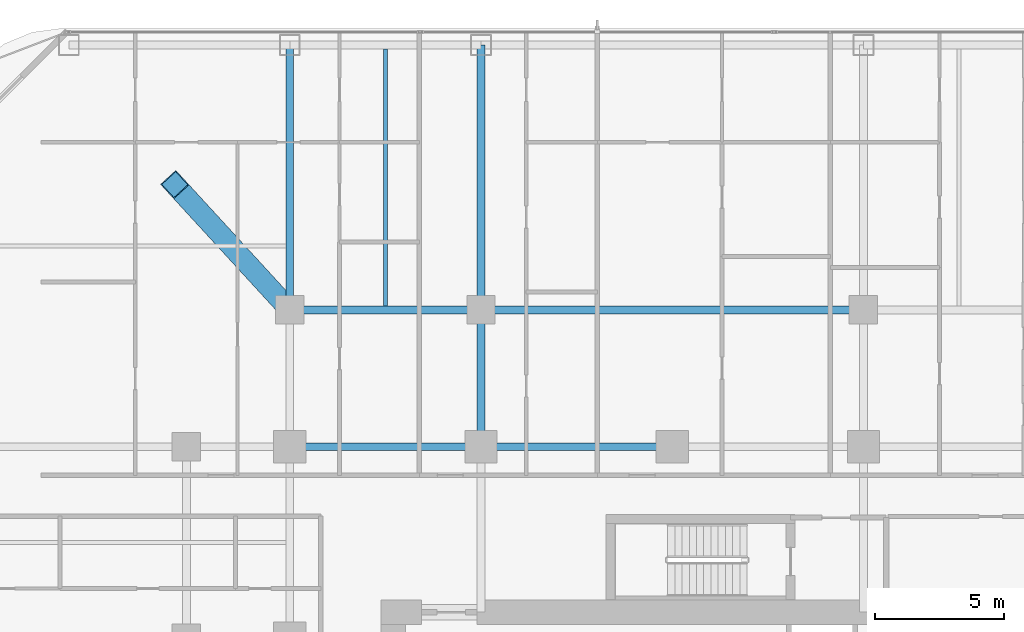
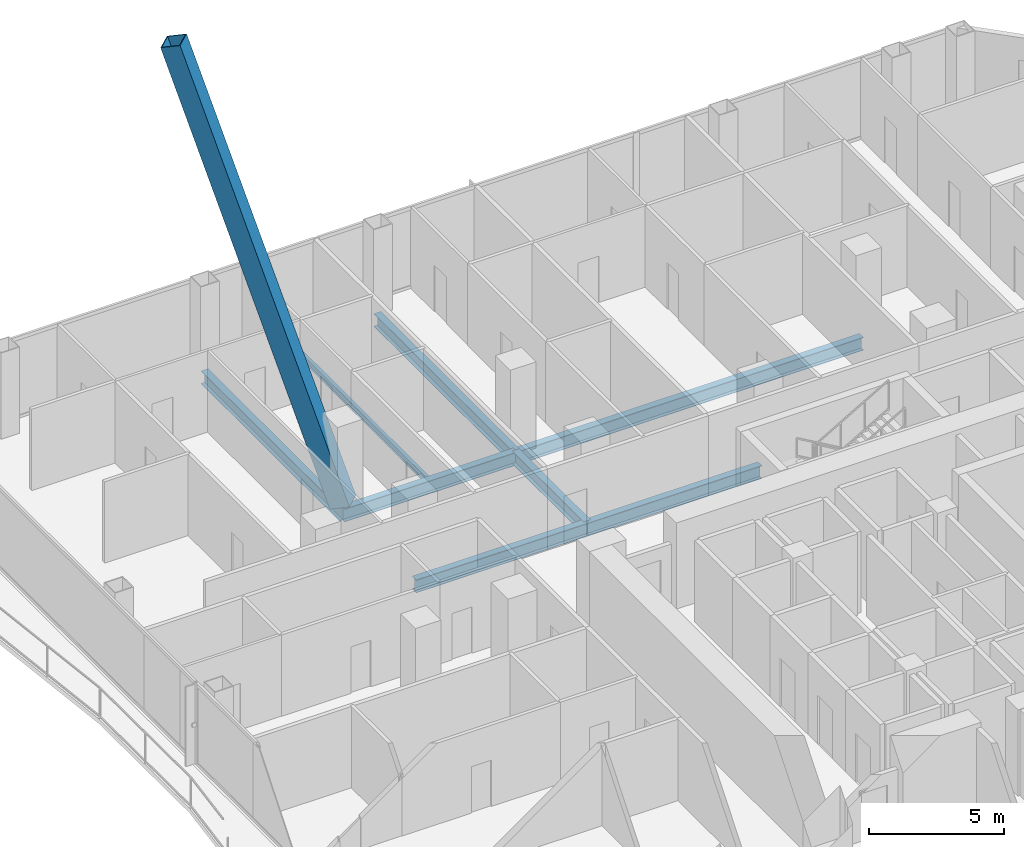
# One storey, part 13 of 28: 8 beams, 1 member.
"""IFC4 building model written with IfcOpenShell, lengths in metres."""

from ifc_helpers import new_model, si_unit, direction, frame, origin, origin_2d, place, context, subcontext, project, spatial, hollow_rectangle, i_section, extrude, material, material_profile, profile_set, type_object, element, save


model = new_model("IFC4")

# Units and contexts
model_context = context("Model", 3, precision=1e-05, world=origin(), true_north=direction((0.0, 1.0)))
body_context = subcontext(model_context, "Body", "Model", "MODEL_VIEW")
ifc_project = project(units=[si_unit("LENGTHUNIT", "METRE"), si_unit("AREAUNIT", "SQUARE_METRE"), si_unit("VOLUMEUNIT", "CUBIC_METRE"), si_unit("PLANEANGLEUNIT", "RADIAN"), si_unit("MASSUNIT", "GRAM", prefix="KILO")], contexts=[model_context])

# Site, building, storey
site_placement = place(None, origin())
site = spatial("IfcSite", under=ifc_project, at=site_placement, CompositionType="ELEMENT")
building_placement = place(site_placement, origin())
building = spatial("IfcBuilding", under=site, at=building_placement, Name="Khorvyn Point Tower", CompositionType="ELEMENT")
storey_placement = place(building_placement, frame((0.0, 0.0, 89.10009765625)))
storey = spatial("IfcBuildingStorey", under=building, at=storey_placement, Name="L22", CompositionType="ELEMENT", Elevation=89.10009765625)

# Beams
ifc_material_1 = material(Name="Steel S355", Category="steel")
ifc_material_profile_1 = material_profile(ifc_material_1, i_section(OverallWidth=0.300048828125, OverallDepth=0.587890625, WebThickness=0.011962890625, FlangeThickness=0.02001953125, at=origin_2d()))
ifc_profile_set_1 = profile_set([ifc_material_profile_1], Name="Steel S355 H588x300x12x20")
beam_type_1 = type_object("IfcBeamType", Name="Steel S355 Beam H588x300x12x20", PredefinedType="BEAM", material=ifc_profile_set_1)
beam_1_placement = place(storey_placement, frame((-14.800048828125, 14.800048828125, -0.51416015625), z_axis=(1.0, 0.0, 0.0), x_axis=(0.0, 1.0, 0.0)))
element("IfcBeam", 1, at=beam_1_placement, inside=storey, type_object=beam_type_1, Name="Beam", PredefinedType="BEAM", context=body_context, shape_type="SweptSolid", body=[
    extrude(i_section(OverallWidth=0.300048828125, OverallDepth=0.587890625, WebThickness=0.011962890625, FlangeThickness=0.02001953125, at=origin_2d()), origin(), (0.0, 0.0, 1.0), 7.400146484375),
])
beam_2_placement = place(storey_placement, frame((-7.39990234375, 14.800048828125, -0.51416015625), z_axis=(1.0, 0.0, 0.0), x_axis=(0.0, 1.0, 0.0)))
element("IfcBeam", 2, at=beam_2_placement, inside=storey, type_object=beam_type_1, Name="Beam", PredefinedType="BEAM", context=body_context, shape_type="SweptSolid", body=[
    extrude(i_section(OverallWidth=0.300048828125, OverallDepth=0.587890625, WebThickness=0.011962890625, FlangeThickness=0.02001953125, at=origin_2d()), origin(), (0.0, 0.0, 1.0), 7.39990234375),
])
beam_3_placement = place(storey_placement, frame((-14.800048828125, 20.10009765625, -0.51416015625), z_axis=(1.0, 0.0, 0.0), x_axis=(0.0, 1.0, 0.0)))
element("IfcBeam", 3, at=beam_3_placement, inside=storey, type_object=beam_type_1, Name="Beam", PredefinedType="BEAM", context=body_context, shape_type="SweptSolid", body=[
    extrude(i_section(OverallWidth=0.300048828125, OverallDepth=0.587890625, WebThickness=0.011962890625, FlangeThickness=0.02001953125, at=origin_2d()), origin(), (0.0, 0.0, 1.0), 7.400146484375),
])
beam_4_placement = place(storey_placement, frame((-7.39990234375, 20.10009765625, -0.51416015625), z_axis=(1.0, 0.0, 0.0), x_axis=(0.0, 1.0, 0.0)))
element("IfcBeam", 4, at=beam_4_placement, inside=storey, type_object=beam_type_1, Name="Beam", PredefinedType="BEAM", context=body_context, shape_type="SweptSolid", body=[
    extrude(i_section(OverallWidth=0.300048828125, OverallDepth=0.587890625, WebThickness=0.011962890625, FlangeThickness=0.02001953125, at=origin_2d()), origin(), (0.0, 0.0, 1.0), 14.7998046875),
])
beam_5_placement = place(storey_placement, frame((-14.800048828125, 20.10009765625, -0.51416015625), z_axis=(0.0, 1.0, 0.0), x_axis=(-1.0, 0.0, 0.0)))
element("IfcBeam", 5, at=beam_5_placement, inside=storey, type_object=beam_type_1, Name="Beam", PredefinedType="BEAM", context=body_context, shape_type="SweptSolid", body=[
    extrude(i_section(OverallWidth=0.300048828125, OverallDepth=0.587890625, WebThickness=0.011962890625, FlangeThickness=0.02001953125, at=origin_2d()), origin(), (0.0, 0.0, 1.0), 10.25),
])
beam_6_placement = place(storey_placement, frame((-7.39990234375, 14.800048828125, -0.51416015625), z_axis=(0.0, 1.0, 0.0), x_axis=(-1.0, 0.0, 0.0)))
element("IfcBeam", 6, at=beam_6_placement, inside=storey, type_object=beam_type_1, Name="Beam", PredefinedType="BEAM", context=body_context, shape_type="SweptSolid", body=[
    extrude(i_section(OverallWidth=0.300048828125, OverallDepth=0.587890625, WebThickness=0.011962890625, FlangeThickness=0.02001953125, at=origin_2d()), origin(), (0.0, 0.0, 1.0), 5.300048828125),
])
beam_7_placement = place(storey_placement, frame((-7.39990234375, 20.10009765625, -0.51416015625), z_axis=(0.0, 1.0, 0.0), x_axis=(-1.0, 0.0, 0.0)))
element("IfcBeam", 7, at=beam_7_placement, inside=storey, type_object=beam_type_1, Name="Beam", PredefinedType="BEAM", context=body_context, shape_type="SweptSolid", body=[
    extrude(i_section(OverallWidth=0.300048828125, OverallDepth=0.587890625, WebThickness=0.011962890625, FlangeThickness=0.02001953125, at=origin_2d()), origin(), (0.0, 0.0, 1.0), 10.25),
])
ifc_material_profile_2 = material_profile(ifc_material_1, i_section(OverallWidth=0.14990234375, OverallDepth=0.300048828125, WebThickness=0.006591796875, FlangeThickness=0.009033203125, at=origin_2d()))
ifc_profile_set_2 = profile_set([ifc_material_profile_2], Name="Steel S355 H300x150x6.5x9")
beam_type_2 = type_object("IfcBeamType", Name="Steel S355 Joist H300x150x6.5x9", PredefinedType="JOIST", material=ifc_profile_set_2)
beam_8_placement = place(storey_placement, frame((-11.10009765625, 20.25, -0.3701171875), z_axis=(0.0, 1.0, 0.0), x_axis=(-1.0, 0.0, 0.0)))
element("IfcBeam", 8, at=beam_8_placement, inside=storey, type_object=beam_type_2, Name="Beam", PredefinedType="JOIST", context=body_context, shape_type="SweptSolid", body=[
    extrude(i_section(OverallWidth=0.14990234375, OverallDepth=0.300048828125, WebThickness=0.006591796875, FlangeThickness=0.009033203125, at=origin_2d()), origin(), (0.0, 0.0, 1.0), 9.949951171875),
])

# Member
ifc_material_2 = material(Name="Steel S450", Category="steel")
ifc_material_profile_3 = material_profile(ifc_material_2, hollow_rectangle(XDim=0.800048828125, YDim=0.800048828125, WallThickness=0.035888671875, at=origin_2d()))
ifc_profile_set_3 = profile_set([ifc_material_profile_3], Name="Steel S450 BOX800x800x36")
member_type = type_object("IfcMemberType", Name="Steel S450 Exoskeleton Structural Post BOX800x800x36", PredefinedType="POST", material=ifc_profile_set_3)
member_placement = place(storey_placement, frame((-14.800048828125, 20.10009765625, 0.0), z_axis=(-0.216217597339, 0.23564835525, 0.947480766701), x_axis=(-0.736832266155, -0.676075596034, 0.0)))
element("IfcMember", 9, at=member_placement, inside=storey, type_object=member_type, Name="L22 to L27 Exoskeleton Transfer Post 05", PredefinedType="POST", context=body_context, shape_type="SweptSolid", body=[
    extrude(hollow_rectangle(XDim=0.800048828125, YDim=0.800048828125, WallThickness=0.035888671875, at=origin_2d()), origin(), (0.0, 0.0, 1.0), 20.580810546875),
])

save(model, "model.ifc")
